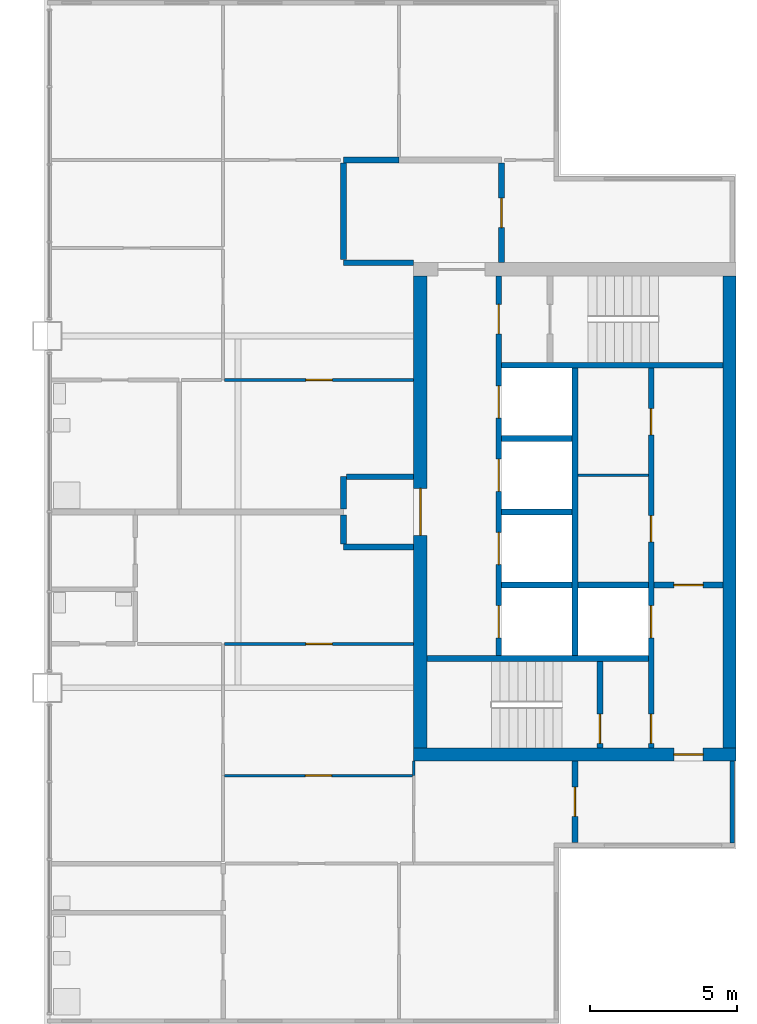
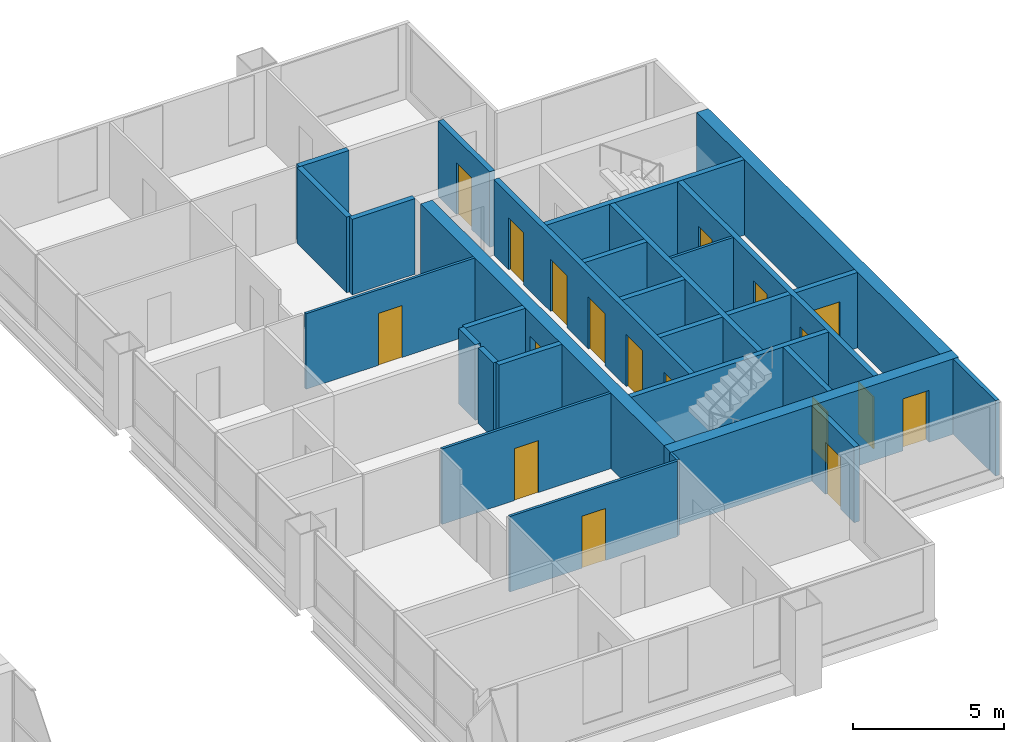
# One storey, part 9 of 13: 29 walls, 18 doors, 18 openings.
"""IFC4 building model written with IfcOpenShell, lengths in metres."""

from ifc_helpers import new_model, si_unit, direction, frame, frame_2d, origin, place, context, subcontext, project, spatial, rectangle, extrude, material, layer, layer_set, type_object, element, fill, save


model = new_model("IFC4")

# Units and contexts
model_context = context("Model", 3, precision=1e-05, world=origin(), true_north=direction((0.0, 1.0)))
body_context = subcontext(model_context, "Body", "Model", "MODEL_VIEW")
ifc_project = project(units=[si_unit("LENGTHUNIT", "METRE"), si_unit("AREAUNIT", "SQUARE_METRE"), si_unit("VOLUMEUNIT", "CUBIC_METRE"), si_unit("PLANEANGLEUNIT", "RADIAN"), si_unit("MASSUNIT", "GRAM", prefix="KILO")], contexts=[model_context])

# Site, building, storey
site_placement = place(None, origin())
site = spatial("IfcSite", under=ifc_project, at=site_placement, CompositionType="ELEMENT")
building_placement = place(site_placement, origin())
building = spatial("IfcBuilding", under=site, at=building_placement, Name="Kitamizu Gate Tower and Museum", CompositionType="ELEMENT")
storey_placement = place(building_placement, frame((0.0, 0.0, 252.449951171875)))
storey = spatial("IfcBuildingStorey", under=building, at=storey_placement, Name="L68", CompositionType="ELEMENT", Elevation=252.449951171875)

# Wall, opening, door
ifc_material_1 = material(Name="Concrete Fc42", Category="concrete")
ifc_layer_1 = layer(ifc_material_1, 0.449951171875)
ifc_layer_set_1 = layer_set([ifc_layer_1], Name="Concrete Fc42")
wall_type_1 = type_object("IfcWallType", Name="Core wall 450 EI 90", PredefinedType="SHEAR", material=ifc_layer_set_1)
wall_1_placement = place(storey_placement, frame((59.5, 21.72509765625, 0.0), z_axis=(0.0, 0.0, 1.0), x_axis=(-1.0, 0.0, 0.0)))
wall_1 = element("IfcWall", 1, at=wall_1_placement, inside=storey, type_object=wall_type_1, Name="Core wall ES", PredefinedType="SHEAR", context=body_context, shape_type="SweptSolid", body=[
    extrude(rectangle(XDim=11.0, YDim=0.449951171875, at=frame_2d((5.5, 0.0))), origin(), (0.0, 0.0, 1.0), 3.050048828125),
])
opening_1_placement = place(wall_1_placement, frame((1.125, 0.0, 0.0)))
opening_1 = element("IfcOpeningElement", 2, at=opening_1_placement, cuts=wall_1, Name="Opening L68-037", PredefinedType="OPENING", context=body_context, shape_type="SweptSolid", body=[
    extrude(rectangle(XDim=1.0, YDim=2.10009765625, at=frame_2d((0.5, 1.050048828125))), frame((0.0, 0.23486328125, 0.0), z_axis=(0.0, -1.0, 0.0), x_axis=(1.0, 0.0, 0.0)), (0.0, 0.0, 1.0), 0.469970703125),
])
ifc_material_2 = material(Name="Hollow metal door set")
door_type_1 = type_object("IfcDoorType", Name="Fire door 1000", OperationType="NOTDEFINED", PredefinedType="DOOR", material=ifc_material_2)
door_1_placement = place(opening_1_placement, frame((1.0, 0.0, 0.0), x_axis=(-1.0, 0.0, 0.0)))
door_1 = element("IfcDoor", 3, at=door_1_placement, inside=storey, type_object=door_type_1, Name="Fire-fighting lobby door L68-037", OperationType="SINGLE_SWING_LEFT", OverallHeight=2.10009765625, OverallWidth=1.0, PredefinedType="DOOR", context=body_context, shape_type="SweptSolid", body=[
    extrude(rectangle(XDim=1.0, YDim=2.10009765625, at=frame_2d((0.5, 1.050048828125))), frame((0.0, 0.02490234375, 0.0), z_axis=(0.0, -1.0, 0.0), x_axis=(1.0, 0.0, 0.0)), (0.0, 0.0, 1.0), 0.050048828125),
])
fill(opening_1, door_1)

# Wall
wall_2_placement = place(storey_placement, frame((59.27490234375, 21.949951171875, 0.0), z_axis=(0.0, 0.0, 1.0), x_axis=(0.0, 1.0, 0.0)))
element("IfcWall", 4, at=wall_2_placement, inside=storey, type_object=wall_type_1, Name="Core wall EOUT", PredefinedType="SHEAR", context=body_context, shape_type="SweptSolid", body=[
    extrude(rectangle(XDim=16.10009765625, YDim=0.449951171875, at=frame_2d((8.050048828125, 0.0))), origin(), (0.0, 0.0, 1.0), 3.050048828125),
])

# Wall, opening, door
wall_3_placement = place(storey_placement, frame((48.72509765625, 21.949951171875, 0.0), z_axis=(0.0, 0.0, 1.0), x_axis=(0.0, 1.0, 0.0)))
wall_3 = element("IfcWall", 5, at=wall_3_placement, inside=storey, type_object=wall_type_1, Name="Core wall EARC", PredefinedType="SHEAR", context=body_context, shape_type="SweptSolid", body=[
    extrude(rectangle(XDim=16.10009765625, YDim=0.449951171875, at=frame_2d((8.050048828125, 0.0))), origin(), (0.0, 0.0, 1.0), 3.050048828125),
])
opening_2_placement = place(wall_3_placement, frame((7.25, 0.0, 0.0)))
opening_2 = element("IfcOpeningElement", 6, at=opening_2_placement, cuts=wall_3, Name="Opening L68-039", PredefinedType="OPENING", context=body_context, shape_type="SweptSolid", body=[
    extrude(rectangle(XDim=1.60009765625, YDim=2.10009765625, at=frame_2d((0.800048828125, 1.050048828125))), frame((0.0, 0.23486328125, 0.0), z_axis=(0.0, -1.0, 0.0), x_axis=(1.0, 0.0, 0.0)), (0.0, 0.0, 1.0), 0.469970703125),
])
ifc_material_3 = material(Name="Timber door set", Category="wood")
door_type_2 = type_object("IfcDoorType", Name="Entrance door 1600", OperationType="DOUBLE_DOOR_SINGLE_SWING", PredefinedType="DOOR", material=ifc_material_3)
door_2_placement = place(opening_2_placement, origin())
door_2 = element("IfcDoor", 7, at=door_2_placement, inside=storey, type_object=door_type_2, Name="Lobby door L68-039", OperationType="DOUBLE_DOOR_SINGLE_SWING", OverallHeight=2.10009765625, OverallWidth=1.60009765625, PredefinedType="DOOR", context=body_context, shape_type="SweptSolid", body=[
    extrude(rectangle(XDim=1.60009765625, YDim=2.10009765625, at=frame_2d((0.800048828125, 1.050048828125))), frame((0.0, 0.02490234375, 0.0), z_axis=(0.0, -1.0, 0.0), x_axis=(1.0, 0.0, 0.0)), (0.0, 0.0, 1.0), 0.050048828125),
])
fill(opening_2, door_2)

# Walls
ifc_material_4 = material(Name="Gypsum board on galvanised stud")
ifc_layer_2 = layer(ifc_material_4, 0.10009765625)
ifc_layer_set_2 = layer_set([ifc_layer_2], Name="Gypsum board on galvanised stud")
wall_type_2 = type_object("IfcWallType", Name="Partition 100", PredefinedType="PARTITIONING", material=ifc_layer_set_2)
wall_4_placement = place(storey_placement, frame((56.5, 31.25, 0.0), z_axis=(0.0, 0.0, 1.0), x_axis=(-1.0, 0.0, 0.0)))
element("IfcWall", 8, at=wall_4_placement, inside=storey, type_object=wall_type_2, Name="Partition EPF1", PredefinedType="PARTITIONING", context=body_context, shape_type="SweptSolid", body=[
    extrude(rectangle(XDim=2.39990234375, YDim=0.10009765625, at=frame_2d((1.199951171875, 0.0))), origin(), (0.0, 0.0, 1.0), 3.050048828125),
])
ifc_material_5 = material(Name="Gypsum board on galvanised stud")
ifc_layer_3 = layer(ifc_material_5, 0.10009765625)
ifc_layer_set_3 = layer_set([ifc_layer_3], Name="Gypsum board on galvanised stud")
wall_type_3 = type_object("IfcWallType", Name="Partition 100 NOT RATED", PredefinedType="PARTITIONING", material=ifc_layer_set_3)
wall_5_placement = place(storey_placement, frame((48.5, 21.5, 0.0), z_axis=(0.0, 0.0, 1.0), x_axis=(0.0, -1.0, 0.0)))
element("IfcWall", 9, at=wall_5_placement, inside=storey, type_object=wall_type_3, Name="Partition L68-014", PredefinedType="PARTITIONING", context=body_context, shape_type="SweptSolid", body=[
    extrude(rectangle(XDim=0.5, YDim=0.10009765625, at=frame_2d((0.25, 0.0))), origin(), (0.0, 0.0, 1.0), 3.050048828125),
])

# Wall, opening, door
wall_6_placement = place(storey_placement, frame((48.449951171875, 21.0, 0.0), z_axis=(0.0, 0.0, 1.0), x_axis=(-1.0, 0.0, 0.0)))
wall_6 = element("IfcWall", 10, at=wall_6_placement, inside=storey, type_object=wall_type_3, Name="Partition L68-021", PredefinedType="PARTITIONING", context=body_context, shape_type="SweptSolid", body=[
    extrude(rectangle(XDim=6.39990234375, YDim=0.10009765625, at=frame_2d((3.199951171875, 0.0))), origin(), (0.0, 0.0, 1.0), 3.050048828125),
])
opening_3_placement = place(wall_6_placement, frame((2.75, 0.0, 0.0)))
opening_3 = element("IfcOpeningElement", 11, at=opening_3_placement, cuts=wall_6, Name="Opening L68-004", PredefinedType="OPENING", context=body_context, shape_type="SweptSolid", body=[
    extrude(rectangle(XDim=0.89990234375, YDim=2.10009765625, at=frame_2d((0.449951171875, 1.050048828125))), frame((0.0, 0.06005859375, 0.0), z_axis=(0.0, -1.0, 0.0), x_axis=(1.0, 0.0, 0.0)), (0.0, 0.0, 1.0), 0.1201171875),
])
ifc_material_6 = material(Name="Timber door set", Category="wood")
door_type_3 = type_object("IfcDoorType", Name="Room door 900", OperationType="NOTDEFINED", PredefinedType="DOOR", material=ifc_material_6)
door_3_placement = place(opening_3_placement, origin())
door_3 = element("IfcDoor", 12, at=door_3_placement, inside=storey, type_object=door_type_3, Name="Door L68-004", OperationType="SINGLE_SWING_LEFT", OverallHeight=2.10009765625, OverallWidth=0.89990234375, PredefinedType="DOOR", context=body_context, shape_type="SweptSolid", body=[
    extrude(rectangle(XDim=0.89990234375, YDim=2.10009765625, at=frame_2d((0.449951171875, 1.050048828125))), frame((0.0, 0.02490234375, 0.0), z_axis=(0.0, -1.0, 0.0), x_axis=(1.0, 0.0, 0.0)), (0.0, 0.0, 1.0), 0.050048828125),
])
fill(opening_3, door_3)

wall_7_placement = place(storey_placement, frame((48.5, 25.5, 0.0), z_axis=(0.0, 0.0, 1.0), x_axis=(-1.0, 0.0, 0.0)))
wall_7 = element("IfcWall", 13, at=wall_7_placement, inside=storey, type_object=wall_type_3, Name="Partition L68-022", PredefinedType="PARTITIONING", context=body_context, shape_type="SweptSolid", body=[
    extrude(rectangle(XDim=6.449951171875, YDim=0.10009765625, at=frame_2d((3.22509765625, 0.0))), origin(), (0.0, 0.0, 1.0), 3.050048828125),
])
opening_4_placement = place(wall_7_placement, frame((2.77490234375, 0.0, 0.0)))
opening_4 = element("IfcOpeningElement", 14, at=opening_4_placement, cuts=wall_7, Name="Opening L68-009", PredefinedType="OPENING", context=body_context, shape_type="SweptSolid", body=[
    extrude(rectangle(XDim=0.89990234375, YDim=2.10009765625, at=frame_2d((0.449951171875, 1.050048828125))), frame((0.0, 0.06005859375, 0.0), z_axis=(0.0, -1.0, 0.0), x_axis=(1.0, 0.0, 0.0)), (0.0, 0.0, 1.0), 0.1201171875),
])
door_4_placement = place(opening_4_placement, origin())
door_4 = element("IfcDoor", 15, at=door_4_placement, inside=storey, type_object=door_type_3, Name="Door L68-009", OperationType="SINGLE_SWING_LEFT", OverallHeight=2.10009765625, OverallWidth=0.89990234375, PredefinedType="DOOR", context=body_context, shape_type="SweptSolid", body=[
    extrude(rectangle(XDim=0.89990234375, YDim=2.10009765625, at=frame_2d((0.449951171875, 1.050048828125))), frame((0.0, 0.02490234375, 0.0), z_axis=(0.0, -1.0, 0.0), x_axis=(1.0, 0.0, 0.0)), (0.0, 0.0, 1.0), 0.050048828125),
])
fill(opening_4, door_4)

wall_8_placement = place(storey_placement, frame((42.050048828125, 34.5, 0.0), z_axis=(0.0, 0.0, 1.0), x_axis=(1.0, 0.0, 0.0)))
wall_8 = element("IfcWall", 16, at=wall_8_placement, inside=storey, type_object=wall_type_3, Name="Partition L68-045", PredefinedType="PARTITIONING", context=body_context, shape_type="SweptSolid", body=[
    extrude(rectangle(XDim=6.449951171875, YDim=0.10009765625, at=frame_2d((3.22509765625, 0.0))), origin(), (0.0, 0.0, 1.0), 3.050048828125),
])
opening_5_placement = place(wall_8_placement, frame((2.77490234375, 0.0, 0.0)))
opening_5 = element("IfcOpeningElement", 17, at=opening_5_placement, cuts=wall_8, Name="Opening L68-016", PredefinedType="OPENING", context=body_context, shape_type="SweptSolid", body=[
    extrude(rectangle(XDim=0.89990234375, YDim=2.10009765625, at=frame_2d((0.449951171875, 1.050048828125))), frame((0.0, 0.06005859375, 0.0), z_axis=(0.0, -1.0, 0.0), x_axis=(1.0, 0.0, 0.0)), (0.0, 0.0, 1.0), 0.1201171875),
])
door_5_placement = place(opening_5_placement, frame((0.89990234375, 0.0, 0.0), x_axis=(-1.0, 0.0, 0.0)))
door_5 = element("IfcDoor", 18, at=door_5_placement, inside=storey, type_object=door_type_3, Name="Door L68-016", OperationType="SINGLE_SWING_RIGHT", OverallHeight=2.10009765625, OverallWidth=0.89990234375, PredefinedType="DOOR", context=body_context, shape_type="SweptSolid", body=[
    extrude(rectangle(XDim=0.89990234375, YDim=2.10009765625, at=frame_2d((0.449951171875, 1.050048828125))), frame((0.0, 0.02490234375, 0.0), z_axis=(0.0, -1.0, 0.0), x_axis=(1.0, 0.0, 0.0)), (0.0, 0.0, 1.0), 0.050048828125),
])
fill(opening_5, door_5)

ifc_material_7 = material(Name="Gypsum board on galvanised stud")
ifc_layer_4 = layer(ifc_material_7, 0.199951171875)
ifc_layer_set_4 = layer_set([ifc_layer_4], Name="Gypsum board on galvanised stud")
wall_type_4 = type_object("IfcWallType", Name="Partition 200", PredefinedType="PARTITIONING", material=ifc_layer_set_4)
wall_9_placement = place(storey_placement, frame((54.0, 18.719970703125, 0.0), z_axis=(0.0, 0.0, 1.0), x_axis=(0.0, 1.0, 0.0)))
wall_9 = element("IfcWall", 19, at=wall_9_placement, inside=storey, type_object=wall_type_4, Name="Partition L68-015", PredefinedType="PARTITIONING", context=body_context, shape_type="SweptSolid", body=[
    extrude(rectangle(XDim=2.780029296875, YDim=0.199951171875, at=frame_2d((1.39013671875, 0.0))), origin(), (0.0, 0.0, 1.0), 3.050048828125),
])
opening_6_placement = place(wall_9_placement, frame((0.889892578125, 0.0, 0.0)))
opening_6 = element("IfcOpeningElement", 20, at=opening_6_placement, cuts=wall_9, Name="Opening L68-001", PredefinedType="OPENING", context=body_context, shape_type="SweptSolid", body=[
    extrude(rectangle(XDim=1.0, YDim=2.10009765625, at=frame_2d((0.5, 1.050048828125))), frame((0.0, 0.10986328125, 0.0), z_axis=(0.0, -1.0, 0.0), x_axis=(1.0, 0.0, 0.0)), (0.0, 0.0, 1.0), 0.219970703125),
])
ifc_material_8 = material(Name="Timber door set", Category="wood")
door_type_4 = type_object("IfcDoorType", Name="Flat entrance door 1000", OperationType="NOTDEFINED", PredefinedType="DOOR", material=ifc_material_8)
door_6_placement = place(opening_6_placement, frame((1.0, 0.0, 0.0), x_axis=(-1.0, 0.0, 0.0)))
door_6 = element("IfcDoor", 21, at=door_6_placement, inside=storey, type_object=door_type_4, Name="Flat entrance door L68-001", OperationType="SINGLE_SWING_LEFT", OverallHeight=2.10009765625, OverallWidth=1.0, PredefinedType="DOOR", context=body_context, shape_type="SweptSolid", body=[
    extrude(rectangle(XDim=1.0, YDim=2.10009765625, at=frame_2d((0.5, 1.050048828125))), frame((0.0, 0.02490234375, 0.0), z_axis=(0.0, -1.0, 0.0), x_axis=(1.0, 0.0, 0.0)), (0.0, 0.0, 1.0), 0.050048828125),
])
fill(opening_6, door_6)

# Walls
wall_10_placement = place(storey_placement, frame((48.5, 28.800048828125, 0.0), z_axis=(0.0, 0.0, 1.0), x_axis=(-1.0, 0.0, 0.0)))
element("IfcWall", 22, at=wall_10_placement, inside=storey, type_object=wall_type_4, Name="Partition L68-029", PredefinedType="PARTITIONING", context=body_context, shape_type="SweptSolid", body=[
    extrude(rectangle(XDim=2.39990234375, YDim=0.199951171875, at=frame_2d((1.199951171875, 0.0))), origin(), (0.0, 0.0, 1.0), 3.050048828125),
])
wall_11_placement = place(storey_placement, frame((46.10009765625, 28.89990234375, 0.0), z_axis=(0.0, 0.0, 1.0), x_axis=(0.0, 1.0, 0.0)))
element("IfcWall", 23, at=wall_11_placement, inside=storey, type_object=wall_type_4, Name="Partition L68-030", PredefinedType="PARTITIONING", context=body_context, shape_type="SweptSolid", body=[
    extrude(rectangle(XDim=1.0, YDim=0.199951171875, at=frame_2d((0.5, 0.0))), origin(), (0.0, 0.0, 1.0), 3.050048828125),
])
wall_12_placement = place(storey_placement, frame((46.10009765625, 42.0, 0.0), z_axis=(0.0, 0.0, 1.0), x_axis=(1.0, 0.0, 0.0)))
element("IfcWall", 24, at=wall_12_placement, inside=storey, type_object=wall_type_4, Name="Partition L68-035", PredefinedType="PARTITIONING", context=body_context, shape_type="SweptSolid", body=[
    extrude(rectangle(XDim=1.89990234375, YDim=0.199951171875, at=frame_2d((0.949951171875, 0.0))), origin(), (0.0, 0.0, 1.0), 3.050048828125),
])

# Wall, opening, door
wall_13_placement = place(storey_placement, frame((51.5, 41.89990234375, 0.0), z_axis=(0.0, 0.0, 1.0), x_axis=(0.0, -1.0, 0.0)))
wall_13 = element("IfcWall", 25, at=wall_13_placement, inside=storey, type_object=wall_type_4, Name="Partition L68-038", PredefinedType="PARTITIONING", context=body_context, shape_type="SweptSolid", body=[
    extrude(rectangle(XDim=3.39990234375, YDim=0.199951171875, at=frame_2d((1.699951171875, 0.0))), origin(), (0.0, 0.0, 1.0), 3.050048828125),
])
opening_7_placement = place(wall_13_placement, frame((1.199951171875, 0.0, 0.0)))
opening_7 = element("IfcOpeningElement", 26, at=opening_7_placement, cuts=wall_13, Name="Opening L68-012", PredefinedType="OPENING", context=body_context, shape_type="SweptSolid", body=[
    extrude(rectangle(XDim=1.0, YDim=2.10009765625, at=frame_2d((0.5, 1.050048828125))), frame((0.0, 0.10986328125, 0.0), z_axis=(0.0, -1.0, 0.0), x_axis=(1.0, 0.0, 0.0)), (0.0, 0.0, 1.0), 0.219970703125),
])
door_7_placement = place(opening_7_placement, frame((1.0, 0.0, 0.0), x_axis=(-1.0, 0.0, 0.0)))
door_7 = element("IfcDoor", 27, at=door_7_placement, inside=storey, type_object=door_type_4, Name="Flat entrance door L68-012", OperationType="SINGLE_SWING_LEFT", OverallHeight=2.10009765625, OverallWidth=1.0, PredefinedType="DOOR", context=body_context, shape_type="SweptSolid", body=[
    extrude(rectangle(XDim=1.0, YDim=2.10009765625, at=frame_2d((0.5, 1.050048828125))), frame((0.0, 0.02490234375, 0.0), z_axis=(0.0, -1.0, 0.0), x_axis=(1.0, 0.0, 0.0)), (0.0, 0.0, 1.0), 0.050048828125),
])
fill(opening_7, door_7)

# Walls
wall_14_placement = place(storey_placement, frame((48.5, 38.5, 0.0), z_axis=(0.0, 0.0, 1.0), x_axis=(-1.0, 0.0, 0.0)))
element("IfcWall", 28, at=wall_14_placement, inside=storey, type_object=wall_type_4, Name="Partition L68-046", PredefinedType="PARTITIONING", context=body_context, shape_type="SweptSolid", body=[
    extrude(rectangle(XDim=2.39990234375, YDim=0.199951171875, at=frame_2d((1.199951171875, 0.0))), origin(), (0.0, 0.0, 1.0), 3.050048828125),
])
wall_15_placement = place(storey_placement, frame((46.10009765625, 38.60009765625, 0.0), z_axis=(0.0, 0.0, 1.0), x_axis=(0.0, 1.0, 0.0)))
element("IfcWall", 29, at=wall_15_placement, inside=storey, type_object=wall_type_4, Name="Partition L68-047", PredefinedType="PARTITIONING", context=body_context, shape_type="SweptSolid", body=[
    extrude(rectangle(XDim=3.2998046875, YDim=0.199951171875, at=frame_2d((1.64990234375, 0.0))), origin(), (0.0, 0.0, 1.0), 3.050048828125),
])
wall_16_placement = place(storey_placement, frame((46.10009765625, 30.10009765625, 0.0), z_axis=(0.0, 0.0, 1.0), x_axis=(0.0, 1.0, 0.0)))
element("IfcWall", 30, at=wall_16_placement, inside=storey, type_object=wall_type_4, Name="Partition L68-049", PredefinedType="PARTITIONING", context=body_context, shape_type="SweptSolid", body=[
    extrude(rectangle(XDim=1.099853515625, YDim=0.199951171875, at=frame_2d((0.5498046875, 0.0))), origin(), (0.0, 0.0, 1.0), 3.050048828125),
])
wall_17_placement = place(storey_placement, frame((46.199951171875, 31.199951171875, 0.0), z_axis=(0.0, 0.0, 1.0), x_axis=(1.0, 0.0, 0.0)))
element("IfcWall", 31, at=wall_17_placement, inside=storey, type_object=wall_type_4, Name="Partition L68-050", PredefinedType="PARTITIONING", context=body_context, shape_type="SweptSolid", body=[
    extrude(rectangle(XDim=2.300048828125, YDim=0.199951171875, at=frame_2d((1.14990234375, 0.0))), origin(), (0.0, 0.0, 1.0), 3.050048828125),
])

# Wall, openings, doors
ifc_material_9 = material(Name="Concrete Fc42", Category="concrete")
ifc_layer_5 = layer(ifc_material_9, 0.199951171875)
ifc_layer_set_5 = layer_set([ifc_layer_5], Name="Concrete Fc42")
wall_type_5 = type_object("IfcWallType", Name="Shaft wall 200", PredefinedType="SOLIDWALL", material=ifc_layer_set_5)
wall_18_placement = place(storey_placement, frame((56.60009765625, 21.949951171875, 0.0), z_axis=(0.0, 0.0, 1.0), x_axis=(0.0, 1.0, 0.0)))
wall_18 = element("IfcWall", 32, at=wall_18_placement, inside=storey, type_object=wall_type_5, Name="Shaft wall EWEST", PredefinedType="SOLIDWALL", context=body_context, shape_type="SweptSolid", body=[
    extrude(rectangle(XDim=12.949951171875, YDim=0.199951171875, at=frame_2d((6.47509765625, 0.0))), origin(), (0.0, 0.0, 1.0), 3.050048828125),
])
opening_8_placement = place(wall_18_placement, frame((3.75, 0.0, 0.0)))
opening_8 = element("IfcOpeningElement", 33, at=opening_8_placement, cuts=wall_18, Name="Opening LD", PredefinedType="OPENING", context=body_context, shape_type="SweptSolid", body=[
    extrude(rectangle(XDim=1.10009765625, YDim=2.10009765625, at=frame_2d((0.550048828125, 1.050048828125))), frame((0.0, 0.10986328125, 0.0), z_axis=(0.0, -1.0, 0.0), x_axis=(1.0, 0.0, 0.0)), (0.0, 0.0, 1.0), 0.219970703125),
])
opening_9_placement = place(wall_18_placement, frame((0.14990234375, 0.0, 0.0)))
opening_9 = element("IfcOpeningElement", 34, at=opening_9_placement, cuts=wall_18, Name="Opening L68-033", PredefinedType="OPENING", context=body_context, shape_type="SweptSolid", body=[
    extrude(rectangle(XDim=1.0, YDim=2.10009765625, at=frame_2d((0.5, 1.050048828125))), frame((0.0, 0.10986328125, 0.0), z_axis=(0.0, -1.0, 0.0), x_axis=(1.0, 0.0, 0.0)), (0.0, 0.0, 1.0), 0.219970703125),
])
opening_10_placement = place(wall_18_placement, frame((7.02490234375, 0.0, 0.0)))
opening_10 = element("IfcOpeningElement", 35, at=opening_10_placement, cuts=wall_18, Name="Opening L68-040", PredefinedType="OPENING", context=body_context, shape_type="SweptSolid", body=[
    extrude(rectangle(XDim=0.89990234375, YDim=2.10009765625, at=frame_2d((0.449951171875, 1.050048828125))), frame((0.0, 0.10986328125, 0.0), z_axis=(0.0, -1.0, 0.0), x_axis=(1.0, 0.0, 0.0)), (0.0, 0.0, 1.0), 0.219970703125),
])
opening_11_placement = place(wall_18_placement, frame((10.675048828125, 0.0, 0.0)))
opening_11 = element("IfcOpeningElement", 36, at=opening_11_placement, cuts=wall_18, Name="Opening L68-041", PredefinedType="OPENING", context=body_context, shape_type="SweptSolid", body=[
    extrude(rectangle(XDim=0.89990234375, YDim=2.10009765625, at=frame_2d((0.449951171875, 1.050048828125))), frame((0.0, 0.10986328125, 0.0), z_axis=(0.0, -1.0, 0.0), x_axis=(1.0, 0.0, 0.0)), (0.0, 0.0, 1.0), 0.219970703125),
])
door_8_placement = place(opening_9_placement, origin())
door_8 = element("IfcDoor", 37, at=door_8_placement, inside=storey, type_object=door_type_1, Name="Stair lobby door L68-033", OperationType="SINGLE_SWING_RIGHT", OverallHeight=2.10009765625, OverallWidth=1.0, PredefinedType="DOOR", context=body_context, shape_type="SweptSolid", body=[
    extrude(rectangle(XDim=1.0, YDim=2.10009765625, at=frame_2d((0.5, 1.050048828125))), frame((0.0, 0.02490234375, 0.0), z_axis=(0.0, -1.0, 0.0), x_axis=(1.0, 0.0, 0.0)), (0.0, 0.0, 1.0), 0.050048828125),
])
fill(opening_9, door_8)
ifc_material_10 = material(Name="Hollow metal door set")
door_type_5 = type_object("IfcDoorType", Name="Landing door 1100", OperationType="SLIDING_TO_LEFT", PredefinedType="DOOR", material=ifc_material_10)
door_9_placement = place(opening_8_placement, origin())
door_9 = element("IfcDoor", 38, at=door_9_placement, inside=storey, type_object=door_type_5, Name="Landing door EFF1", OperationType="SLIDING_TO_LEFT", OverallHeight=2.10009765625, OverallWidth=1.10009765625, PredefinedType="DOOR", context=body_context, shape_type="SweptSolid", body=[
    extrude(rectangle(XDim=1.10009765625, YDim=2.10009765625, at=frame_2d((0.550048828125, 1.050048828125))), frame((0.0, 0.02490234375, 0.0), z_axis=(0.0, -1.0, 0.0), x_axis=(1.0, 0.0, 0.0)), (0.0, 0.0, 1.0), 0.050048828125),
])
fill(opening_8, door_9)
ifc_material_11 = material(Name="Timber door set", Category="wood")
door_type_6 = type_object("IfcDoorType", Name="Service door 900", OperationType="NOTDEFINED", PredefinedType="DOOR", material=ifc_material_11)
door_10_placement = place(opening_10_placement, origin())
door_10 = element("IfcDoor", 39, at=door_10_placement, inside=storey, type_object=door_type_6, Name="Service door L68-040", OperationType="SINGLE_SWING_LEFT", OverallHeight=2.10009765625, OverallWidth=0.89990234375, PredefinedType="DOOR", context=body_context, shape_type="SweptSolid", body=[
    extrude(rectangle(XDim=0.89990234375, YDim=2.10009765625, at=frame_2d((0.449951171875, 1.050048828125))), frame((0.0, 0.02490234375, 0.0), z_axis=(0.0, -1.0, 0.0), x_axis=(1.0, 0.0, 0.0)), (0.0, 0.0, 1.0), 0.050048828125),
])
fill(opening_10, door_10)
door_11_placement = place(opening_11_placement, origin())
door_11 = element("IfcDoor", 40, at=door_11_placement, inside=storey, type_object=door_type_6, Name="Service door L68-041", OperationType="SINGLE_SWING_RIGHT", OverallHeight=2.10009765625, OverallWidth=0.89990234375, PredefinedType="DOOR", context=body_context, shape_type="SweptSolid", body=[
    extrude(rectangle(XDim=0.89990234375, YDim=2.10009765625, at=frame_2d((0.449951171875, 1.050048828125))), frame((0.0, 0.02490234375, 0.0), z_axis=(0.0, -1.0, 0.0), x_axis=(1.0, 0.0, 0.0)), (0.0, 0.0, 1.0), 0.050048828125),
])
fill(opening_11, door_11)

wall_19_placement = place(storey_placement, frame((51.39990234375, 25.10009765625, 0.0), z_axis=(0.0, 0.0, 1.0), x_axis=(0.0, 1.0, 0.0)))
wall_19 = element("IfcWall", 41, at=wall_19_placement, inside=storey, type_object=wall_type_5, Name="Shaft wall EEAST", PredefinedType="SOLIDWALL", context=body_context, shape_type="SweptSolid", body=[
    extrude(rectangle(XDim=12.949951171875, YDim=0.199951171875, at=frame_2d((6.47509765625, 0.0))), origin(), (0.0, 0.0, 1.0), 3.050048828125),
])
opening_12_placement = place(wall_19_placement, frame((0.60009765625, 0.0, 0.0)))
opening_12 = element("IfcOpeningElement", 42, at=opening_12_placement, cuts=wall_19, Name="Opening LD", PredefinedType="OPENING", context=body_context, shape_type="SweptSolid", body=[
    extrude(rectangle(XDim=1.10009765625, YDim=2.10009765625, at=frame_2d((0.550048828125, 1.050048828125))), frame((0.0, 0.10986328125, 0.0), z_axis=(0.0, -1.0, 0.0), x_axis=(1.0, 0.0, 0.0)), (0.0, 0.0, 1.0), 0.219970703125),
])
opening_13_placement = place(wall_19_placement, frame((3.10009765625, 0.0, 0.0)))
opening_13 = element("IfcOpeningElement", 43, at=opening_13_placement, cuts=wall_19, Name="Opening LD", PredefinedType="OPENING", context=body_context, shape_type="SweptSolid", body=[
    extrude(rectangle(XDim=1.10009765625, YDim=2.10009765625, at=frame_2d((0.550048828125, 1.050048828125))), frame((0.0, 0.10986328125, 0.0), z_axis=(0.0, -1.0, 0.0), x_axis=(1.0, 0.0, 0.0)), (0.0, 0.0, 1.0), 0.219970703125),
])
opening_14_placement = place(wall_19_placement, frame((5.60009765625, 0.0, 0.0)))
opening_14 = element("IfcOpeningElement", 44, at=opening_14_placement, cuts=wall_19, Name="Opening LD", PredefinedType="OPENING", context=body_context, shape_type="SweptSolid", body=[
    extrude(rectangle(XDim=1.10009765625, YDim=2.10009765625, at=frame_2d((0.550048828125, 1.050048828125))), frame((0.0, 0.10986328125, 0.0), z_axis=(0.0, -1.0, 0.0), x_axis=(1.0, 0.0, 0.0)), (0.0, 0.0, 1.0), 0.219970703125),
])
opening_15_placement = place(wall_19_placement, frame((8.10009765625, 0.0, 0.0)))
opening_15 = element("IfcOpeningElement", 45, at=opening_15_placement, cuts=wall_19, Name="Opening LD", PredefinedType="OPENING", context=body_context, shape_type="SweptSolid", body=[
    extrude(rectangle(XDim=1.10009765625, YDim=2.10009765625, at=frame_2d((0.550048828125, 1.050048828125))), frame((0.0, 0.10986328125, 0.0), z_axis=(0.0, -1.0, 0.0), x_axis=(1.0, 0.0, 0.0)), (0.0, 0.0, 1.0), 0.219970703125),
])
opening_16_placement = place(wall_19_placement, frame((10.97509765625, 0.0, 0.0)))
opening_16 = element("IfcOpeningElement", 46, at=opening_16_placement, cuts=wall_19, Name="Opening L68-034", PredefinedType="OPENING", context=body_context, shape_type="SweptSolid", body=[
    extrude(rectangle(XDim=1.0, YDim=2.10009765625, at=frame_2d((0.5, 1.050048828125))), frame((0.0, 0.10986328125, 0.0), z_axis=(0.0, -1.0, 0.0), x_axis=(1.0, 0.0, 0.0)), (0.0, 0.0, 1.0), 0.219970703125),
])
door_12_placement = place(opening_16_placement, frame((1.0, 0.0, 0.0), x_axis=(-1.0, 0.0, 0.0)))
door_12 = element("IfcDoor", 47, at=door_12_placement, inside=storey, type_object=door_type_1, Name="Stair lobby door L68-034", OperationType="SINGLE_SWING_RIGHT", OverallHeight=2.10009765625, OverallWidth=1.0, PredefinedType="DOOR", context=body_context, shape_type="SweptSolid", body=[
    extrude(rectangle(XDim=1.0, YDim=2.10009765625, at=frame_2d((0.5, 1.050048828125))), frame((0.0, 0.02490234375, 0.0), z_axis=(0.0, -1.0, 0.0), x_axis=(1.0, 0.0, 0.0)), (0.0, 0.0, 1.0), 0.050048828125),
])
fill(opening_16, door_12)
door_13_placement = place(opening_12_placement, origin())
door_13 = element("IfcDoor", 48, at=door_13_placement, inside=storey, type_object=door_type_5, Name="Landing door ESV1", OperationType="SLIDING_TO_LEFT", OverallHeight=2.10009765625, OverallWidth=1.10009765625, PredefinedType="DOOR", context=body_context, shape_type="SweptSolid", body=[
    extrude(rectangle(XDim=1.10009765625, YDim=2.10009765625, at=frame_2d((0.550048828125, 1.050048828125))), frame((0.0, 0.02490234375, 0.0), z_axis=(0.0, -1.0, 0.0), x_axis=(1.0, 0.0, 0.0)), (0.0, 0.0, 1.0), 0.050048828125),
])
fill(opening_12, door_13)
door_14_placement = place(opening_13_placement, origin())
door_14 = element("IfcDoor", 49, at=door_14_placement, inside=storey, type_object=door_type_5, Name="Landing door EH1", OperationType="SLIDING_TO_LEFT", OverallHeight=2.10009765625, OverallWidth=1.10009765625, PredefinedType="DOOR", context=body_context, shape_type="SweptSolid", body=[
    extrude(rectangle(XDim=1.10009765625, YDim=2.10009765625, at=frame_2d((0.550048828125, 1.050048828125))), frame((0.0, 0.02490234375, 0.0), z_axis=(0.0, -1.0, 0.0), x_axis=(1.0, 0.0, 0.0)), (0.0, 0.0, 1.0), 0.050048828125),
])
fill(opening_13, door_14)
door_15_placement = place(opening_14_placement, origin())
door_15 = element("IfcDoor", 50, at=door_15_placement, inside=storey, type_object=door_type_5, Name="Landing door EH2", OperationType="SLIDING_TO_LEFT", OverallHeight=2.10009765625, OverallWidth=1.10009765625, PredefinedType="DOOR", context=body_context, shape_type="SweptSolid", body=[
    extrude(rectangle(XDim=1.10009765625, YDim=2.10009765625, at=frame_2d((0.550048828125, 1.050048828125))), frame((0.0, 0.02490234375, 0.0), z_axis=(0.0, -1.0, 0.0), x_axis=(1.0, 0.0, 0.0)), (0.0, 0.0, 1.0), 0.050048828125),
])
fill(opening_14, door_15)
door_16_placement = place(opening_15_placement, origin())
door_16 = element("IfcDoor", 51, at=door_16_placement, inside=storey, type_object=door_type_5, Name="Landing door EH3", OperationType="SLIDING_TO_LEFT", OverallHeight=2.10009765625, OverallWidth=1.10009765625, PredefinedType="DOOR", context=body_context, shape_type="SweptSolid", body=[
    extrude(rectangle(XDim=1.10009765625, YDim=2.10009765625, at=frame_2d((0.550048828125, 1.050048828125))), frame((0.0, 0.02490234375, 0.0), z_axis=(0.0, -1.0, 0.0), x_axis=(1.0, 0.0, 0.0)), (0.0, 0.0, 1.0), 0.050048828125),
])
fill(opening_15, door_16)

# Walls
wall_20_placement = place(storey_placement, frame((54.0, 25.10009765625, 0.0), z_axis=(0.0, 0.0, 1.0), x_axis=(0.0, 1.0, 0.0)))
element("IfcWall", 52, at=wall_20_placement, inside=storey, type_object=wall_type_5, Name="Shaft wall EMID", PredefinedType="SOLIDWALL", context=body_context, shape_type="SweptSolid", body=[
    extrude(rectangle(XDim=9.7998046875, YDim=0.199951171875, at=frame_2d((4.89990234375, 0.0))), origin(), (0.0, 0.0, 1.0), 3.050048828125),
])
for number, where, z_axis, x_axis, name in (
    (53, (56.5, 25.0, 0.0), (0.0, 0.0, 1.0), (-1.0, 0.0, 0.0), "Shaft wall ESB"),
    (54, (59.050048828125, 35.0, 0.0), (0.0, 0.0, 1.0), (-1.0, 0.0, 0.0), "Shaft wall ENB"),
):
    element("IfcWall", number, at=place(storey_placement, frame(where, z_axis=z_axis, x_axis=x_axis)), inside=storey, type_object=wall_type_5, Name=name, PredefinedType="SOLIDWALL", context=body_context, shape_type="SweptSolid", body=[
        extrude(rectangle(XDim=7.550048828125, YDim=0.199951171875, at=frame_2d((3.77490234375, 0.0))), origin(), (0.0, 0.0, 1.0), 3.050048828125),
    ])

# Wall, opening, door
wall_21_placement = place(storey_placement, frame((59.050048828125, 27.5, 0.0), z_axis=(0.0, 0.0, 1.0), x_axis=(-1.0, 0.0, 0.0)))
wall_21 = element("IfcWall", 55, at=wall_21_placement, inside=storey, type_object=wall_type_5, Name="Shaft wall EFFN", PredefinedType="SOLIDWALL", context=body_context, shape_type="SweptSolid", body=[
    extrude(rectangle(XDim=2.35009765625, YDim=0.199951171875, at=frame_2d((1.175048828125, 0.0))), origin(), (0.0, 0.0, 1.0), 3.050048828125),
])
opening_17_placement = place(wall_21_placement, frame((0.675048828125, 0.0, 0.0)))
opening_17 = element("IfcOpeningElement", 56, at=opening_17_placement, cuts=wall_21, Name="Opening L68-036", PredefinedType="OPENING", context=body_context, shape_type="SweptSolid", body=[
    extrude(rectangle(XDim=1.0, YDim=2.10009765625, at=frame_2d((0.5, 1.050048828125))), frame((0.0, 0.10986328125, 0.0), z_axis=(0.0, -1.0, 0.0), x_axis=(1.0, 0.0, 0.0)), (0.0, 0.0, 1.0), 0.219970703125),
])
door_17_placement = place(opening_17_placement, origin())
door_17 = element("IfcDoor", 57, at=door_17_placement, inside=storey, type_object=door_type_1, Name="Fire-fighting lobby door L68-036", OperationType="SINGLE_SWING_LEFT", OverallHeight=2.10009765625, OverallWidth=1.0, PredefinedType="DOOR", context=body_context, shape_type="SweptSolid", body=[
    extrude(rectangle(XDim=1.0, YDim=2.10009765625, at=frame_2d((0.5, 1.050048828125))), frame((0.0, 0.02490234375, 0.0), z_axis=(0.0, -1.0, 0.0), x_axis=(1.0, 0.0, 0.0)), (0.0, 0.0, 1.0), 0.050048828125),
])
fill(opening_17, door_17)

wall_22_placement = place(storey_placement, frame((54.85009765625, 21.949951171875, 0.0), z_axis=(0.0, 0.0, 1.0), x_axis=(0.0, 1.0, 0.0)))
wall_22 = element("IfcWall", 58, at=wall_22_placement, inside=storey, type_object=wall_type_5, Name="Shaft wall ESZ", PredefinedType="SOLIDWALL", context=body_context, shape_type="SweptSolid", body=[
    extrude(rectangle(XDim=2.949951171875, YDim=0.199951171875, at=frame_2d((1.47509765625, 0.0))), origin(), (0.0, 0.0, 1.0), 3.050048828125),
])
opening_18_placement = place(wall_22_placement, frame((0.14990234375, 0.0, 0.0)))
opening_18 = element("IfcOpeningElement", 59, at=opening_18_placement, cuts=wall_22, Name="Opening L68-032", PredefinedType="OPENING", context=body_context, shape_type="SweptSolid", body=[
    extrude(rectangle(XDim=1.0, YDim=2.10009765625, at=frame_2d((0.5, 1.050048828125))), frame((0.0, 0.10986328125, 0.0), z_axis=(0.0, -1.0, 0.0), x_axis=(1.0, 0.0, 0.0)), (0.0, 0.0, 1.0), 0.219970703125),
])
door_18_placement = place(opening_18_placement, origin())
door_18 = element("IfcDoor", 60, at=door_18_placement, inside=storey, type_object=door_type_1, Name="Stair door L68-032", OperationType="SINGLE_SWING_RIGHT", OverallHeight=2.10009765625, OverallWidth=1.0, PredefinedType="DOOR", context=body_context, shape_type="SweptSolid", body=[
    extrude(rectangle(XDim=1.0, YDim=2.10009765625, at=frame_2d((0.5, 1.050048828125))), frame((0.0, 0.02490234375, 0.0), z_axis=(0.0, -1.0, 0.0), x_axis=(1.0, 0.0, 0.0)), (0.0, 0.0, 1.0), 0.050048828125),
])
fill(opening_18, door_18)

# Walls
for number, where, z_axis, x_axis, name in (
    (61, (56.5, 27.5, 0.0), (0.0, 0.0, 1.0), (-1.0, 0.0, 0.0), "Shaft wall EDVW0"),
    (62, (53.89990234375, 27.5, 0.0), (0.0, 0.0, 1.0), (-1.0, 0.0, 0.0), "Shaft wall EDVE0"),
    (63, (53.89990234375, 30.0, 0.0), (0.0, 0.0, 1.0), (-1.0, 0.0, 0.0), "Shaft wall EDVE1"),
    (64, (53.89990234375, 32.5, 0.0), (0.0, 0.0, 1.0), (-1.0, 0.0, 0.0), "Shaft wall EDVE2"),
):
    element("IfcWall", number, at=place(storey_placement, frame(where, z_axis=z_axis, x_axis=x_axis)), inside=storey, type_object=wall_type_5, Name=name, PredefinedType="SOLIDWALL", context=body_context, shape_type="SweptSolid", body=[
        extrude(rectangle(XDim=2.39990234375, YDim=0.199951171875, at=frame_2d((1.199951171875, 0.0))), origin(), (0.0, 0.0, 1.0), 3.050048828125),
    ])
ifc_material_12 = material(Name="Bronze anodised aluminium frame with insulated spandrel and tinted glass", Category="aluminium")
ifc_layer_6 = layer(ifc_material_12, 0.14990234375)
ifc_layer_set_6 = layer_set([ifc_layer_6], Name="Bronze anodised aluminium frame with insulated spandrel and tinted glass")
wall_type_6 = type_object("IfcWallType", Name="WINDOW WALL 150 BRONZE FRAME EI 30", PredefinedType="ELEMENTEDWALL", material=ifc_layer_set_6)
wall_23_placement = place(storey_placement, frame((59.364990234375, 18.7099609375, 0.0), z_axis=(0.0, 0.0, 1.0), x_axis=(0.0, 1.0, 0.0)))
element("IfcWall", 65, at=wall_23_placement, inside=storey, type_object=wall_type_6, Name="Window wall east L68", PredefinedType="ELEMENTEDWALL", context=body_context, shape_type="SweptSolid", body=[
    extrude(rectangle(XDim=2.7900390625, YDim=0.14990234375, at=frame_2d((1.39501953125, 0.0))), origin(), (0.0, 0.0, 1.0), 3.050048828125),
])

save(model, "model.ifc")
